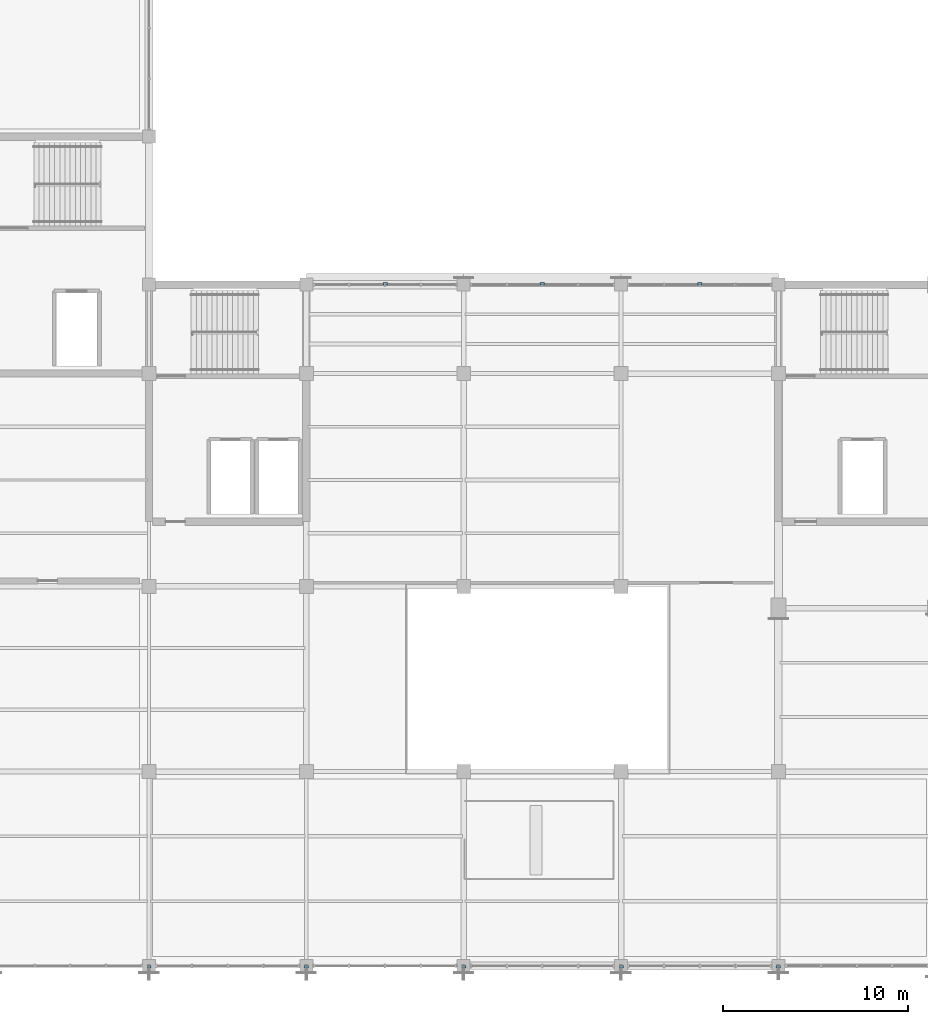
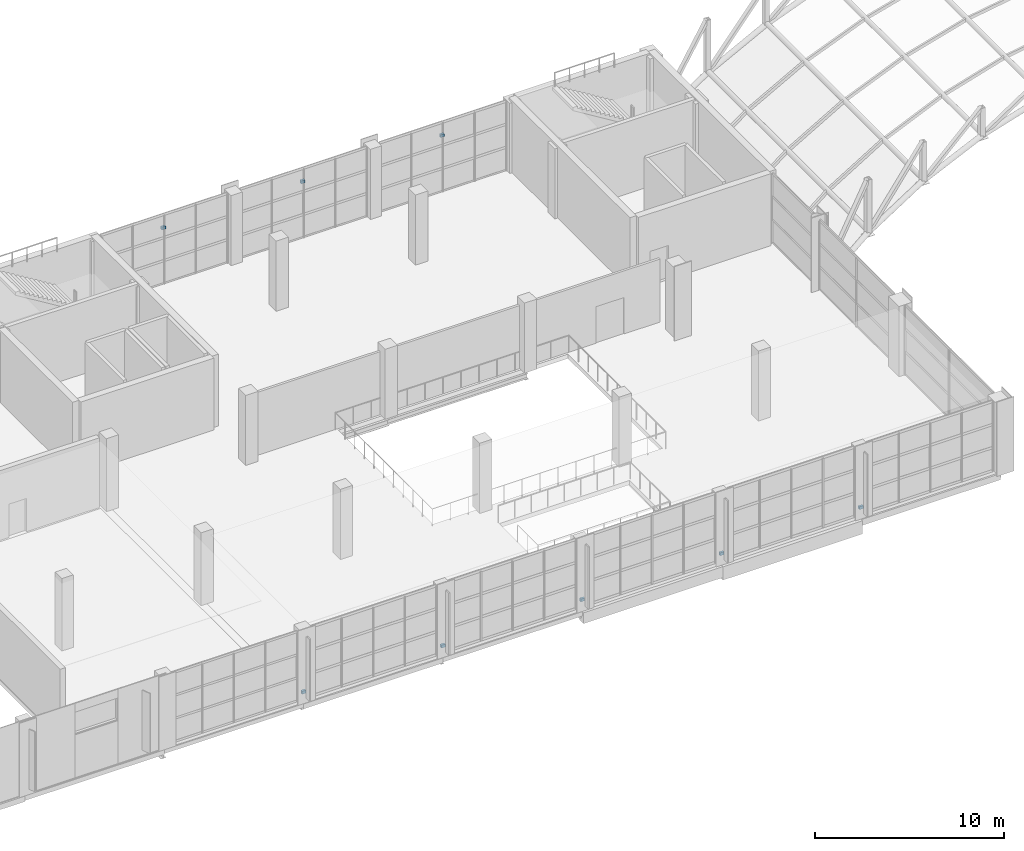
# One storey, part 88 of 101: 8 discrete accessories.
"""IFC4 building model written with IfcOpenShell, lengths in metres."""

from ifc_helpers import new_model, si_unit, direction, frame, origin, origin_2d, place, context, subcontext, project, spatial, rectangle, extrude, material, type_object, element, save


model = new_model("IFC4")

# Units and contexts
model_context = context("Model", 3, precision=1e-05, world=origin(), true_north=direction((0.0, 1.0)))
body_context = subcontext(model_context, "Body", "Model", "MODEL_VIEW")
ifc_project = project(units=[si_unit("LENGTHUNIT", "METRE"), si_unit("AREAUNIT", "SQUARE_METRE"), si_unit("VOLUMEUNIT", "CUBIC_METRE"), si_unit("PLANEANGLEUNIT", "RADIAN"), si_unit("MASSUNIT", "GRAM", prefix="KILO")], contexts=[model_context])

# Site, building, storey
site_placement = place(None, origin())
site = spatial("IfcSite", under=ifc_project, at=site_placement, CompositionType="ELEMENT")
building_placement = place(site_placement, origin())
building = spatial("IfcBuilding", under=site, at=building_placement, Name="Solvikara Media Centre", CompositionType="ELEMENT")
storey_placement = place(building_placement, frame((0.0, 0.0, 10.199951171875)))
storey = spatial("IfcBuildingStorey", under=building, at=storey_placement, Name="L02", CompositionType="ELEMENT", Elevation=10.199951171875)

# Discrete accessories
ifc_material = material(Name="Steel S355JR", Category="steel")
discrete_accessory_type = type_object("IfcDiscreteAccessoryType", Name="BK-01", PredefinedType="BRACKET", material=ifc_material)
for number, where, z_axis, x_axis, name in (
    (1, (34.0, -0.050048828125, 0.41015625), (0.0, 0.0, 1.0), (1.0, 0.0, 0.0), "BK-L02-006"),
    (2, (42.5, -0.050048828125, 0.41015625), (0.0, 0.0, 1.0), (1.0, 0.0, 0.0), "BK-L02-007"),
    (3, (51.0, -0.050048828125, 0.41015625), (0.0, 0.0, 1.0), (1.0, 0.0, 0.0), "BK-L02-008"),
    (4, (59.5, -0.050048828125, 0.41015625), (0.0, 0.0, 1.0), (1.0, 0.0, 0.0), "BK-L02-009"),
    (5, (68.0, -0.050048828125, 0.41015625), (0.0, 0.0, 1.0), (1.0, 0.0, 0.0), "BK-L02-010"),
    (6, (46.75, 36.85009765625, 3.51025390625), (0.0, 0.0, 1.0), (1.0, 0.0, 0.0), "BKL-L02-007"),
    (7, (55.25, 36.85009765625, 3.51025390625), (0.0, 0.0, 1.0), (1.0, 0.0, 0.0), "BKL-L02-008"),
    (8, (63.75, 36.85009765625, 3.51025390625), (0.0, 0.0, 1.0), (1.0, 0.0, 0.0), "BKL-L02-009"),
):
    element("IfcDiscreteAccessory", number, at=place(storey_placement, frame(where, z_axis=z_axis, x_axis=x_axis)), inside=storey, type_object=discrete_accessory_type, Name=name, PredefinedType="BRACKET", context=body_context, shape_type="SweptSolid", body=[
        extrude(rectangle(XDim=0.239990234375, YDim=0.139892578125, at=origin_2d()), origin(), (0.0, 0.0, 1.0), 0.179931640625),
    ])

save(model, "model.ifc")
